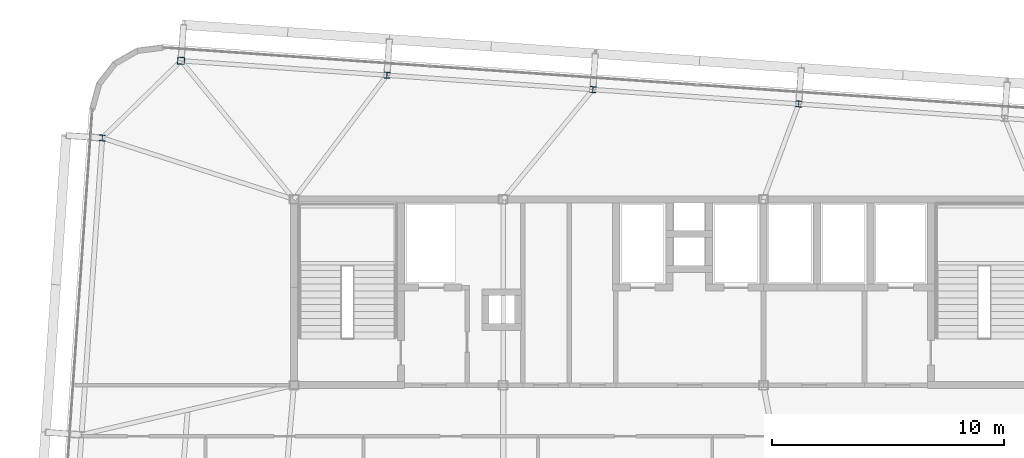
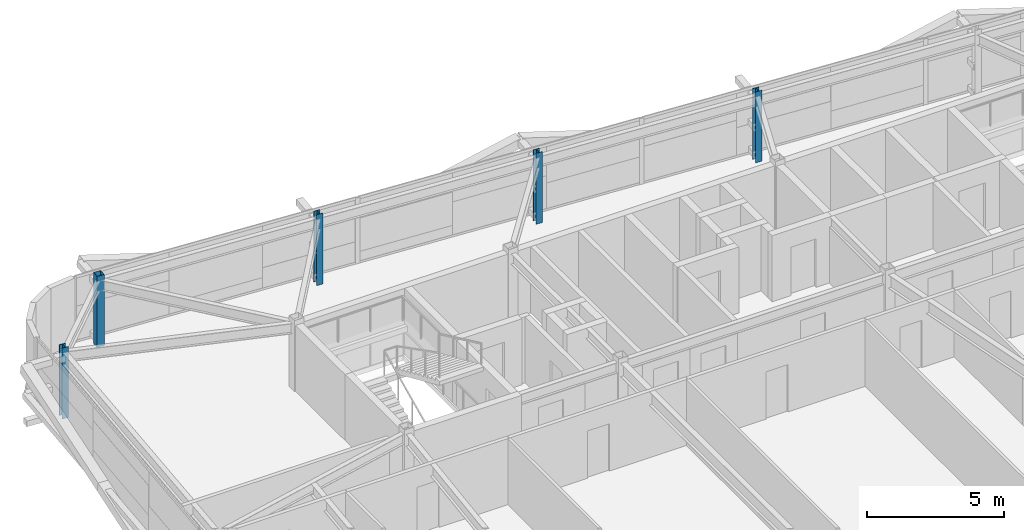
# One storey, part 4 of 39: 5 columns.
"""IFC4 building model written with IfcOpenShell, lengths in metres."""

from ifc_helpers import new_model, si_unit, direction, frame, origin, origin_2d, place, context, subcontext, project, spatial, hollow_rectangle, i_section, extrude, source, transform, mapped, material, material_profile, profile_set, type_object, element, save


model = new_model("IFC4")

# Units and contexts
model_context = context("Model", 3, precision=1e-05, world=origin(), true_north=direction((0.0, 1.0)))
body_context = subcontext(model_context, "Body", "Model", "MODEL_VIEW")
ifc_project = project(units=[si_unit("LENGTHUNIT", "METRE"), si_unit("AREAUNIT", "SQUARE_METRE"), si_unit("VOLUMEUNIT", "CUBIC_METRE"), si_unit("PLANEANGLEUNIT", "RADIAN"), si_unit("MASSUNIT", "GRAM", prefix="KILO")], contexts=[model_context])

# Site, building, storey
site_placement = place(None, origin())
site = spatial("IfcSite", under=ifc_project, at=site_placement, CompositionType="ELEMENT")
building_placement = place(site_placement, origin())
building = spatial("IfcBuilding", under=site, at=building_placement, Name="Taldren Reach Tower", CompositionType="ELEMENT")
storey_placement = place(building_placement, frame((0.0, 0.0, 136.14990234375)))
storey = spatial("IfcBuildingStorey", under=building, at=storey_placement, Name="L41", CompositionType="ELEMENT", Elevation=136.14990234375)

# Columns
ifc_material_1 = material(Name="Steel Gr 450 (C450L0)", Category="steel")
ifc_material_profile_1 = material_profile(ifc_material_1, hollow_rectangle(XDim=0.300048828125, YDim=0.300048828125, WallThickness=0.012451171875, at=origin_2d()), Name="300x300x12.5SHS")
ifc_profile_set_1 = profile_set([ifc_material_profile_1], Name="Steel Gr 450 (C450L0)")
column_type_1 = type_object("IfcColumnType", Name="COL-SHS300", PredefinedType="COLUMN", material=ifc_profile_set_1)
shared_shape_1 = source(origin(), body_context, "Body", "SweptSolid", [
    extrude(hollow_rectangle(XDim=0.300048828125, YDim=0.300048828125, WallThickness=0.012451171875, at=origin_2d()), origin(), (0.0, 0.0, 1.0), 3.150146484375),
])
column_placement = place(storey_placement, frame((14.14453125, 37.958740234375, 0.0), z_axis=(0.0, 0.0, 1.0), x_axis=(0.99756405026, -0.069756473744, 0.0)))
element("IfcColumn", 1, at=column_placement, inside=storey, type_object=column_type_1, Name="Block B3 perimeter column N1 L41", PredefinedType="COLUMN", context=body_context, shape_type="MappedRepresentation", body=[
    mapped(shared_shape_1, transform((0.0, 0.0, 0.0), scale=1.0)),
])
ifc_material_2 = material(Name="Steel Gr 350 (350PLUS)", Category="steel")
ifc_material_profile_2 = material_profile(ifc_material_2, i_section(OverallWidth=0.256103515625, OverallDepth=0.260009765625, WebThickness=0.010498046875, FlangeThickness=0.017333984375, at=origin_2d()), Name="250UC89.5")
ifc_profile_set_2 = profile_set([ifc_material_profile_2], Name="Steel Gr 350 (350PLUS)")
column_type_2 = type_object("IfcColumnType", Name="COL-UC250", PredefinedType="COLUMN", material=ifc_profile_set_2)
shared_shape_2 = source(origin(), body_context, "Body", "SweptSolid", [
    extrude(i_section(OverallWidth=0.256103515625, OverallDepth=0.260009765625, WebThickness=0.010498046875, FlangeThickness=0.017333984375, at=origin_2d()), origin(), (0.0, 0.0, 1.0), 3.150146484375),
])
for number, where, z_axis, x_axis, name in (
    (2, (23.0029296875, 37.33935546875, 0.0), (0.0, 0.0, 1.0), (0.99756405026, -0.069756473744, 0.0), "Block B3 perimeter column N2 L41"),
    (3, (31.861328125, 36.719970703125, 0.0), (0.0, 0.0, 1.0), (0.99756405026, -0.069756473744, 0.0), "Block B3 perimeter column N3 L41"),
    (4, (40.7197265625, 36.100341796875, 0.0), (0.0, 0.0, 1.0), (0.99756405026, -0.069756473744, 0.0), "Block B3 perimeter column N4 L41"),
    (5, (10.754638671875, 34.63720703125, 0.0), (0.0, 0.0, 1.0), (0.99756405026, -0.069756473744, 0.0), "Block B3 perimeter column W3 L41"),
):
    element("IfcColumn", number, at=place(storey_placement, frame(where, z_axis=z_axis, x_axis=x_axis)), inside=storey, type_object=column_type_2, Name=name, PredefinedType="COLUMN", context=body_context, shape_type="MappedRepresentation", body=[
        mapped(shared_shape_2, transform((0.0, 0.0, 0.0), scale=1.0)),
    ])

save(model, "model.ifc")
